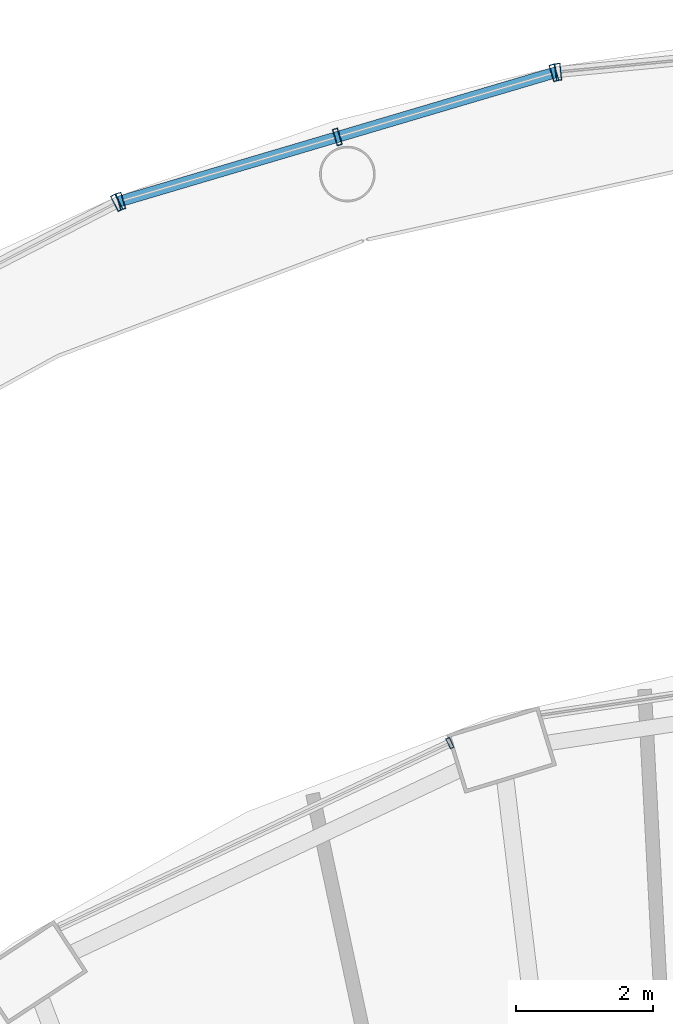
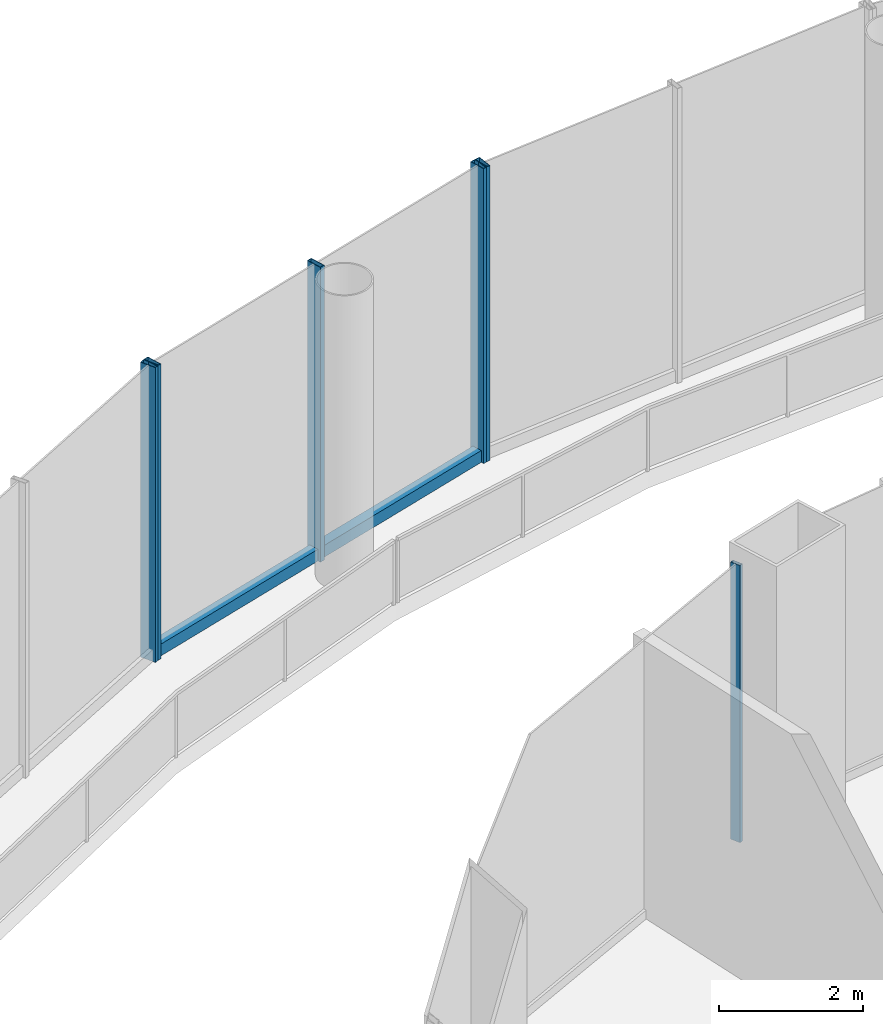
# One storey, part 32 of 47: 7 members, 4 elements without a shape of their own.
"""IFC4 building model written with IfcOpenShell, lengths in metres."""

import ifcopenshell
import ifcopenshell.guid

model = None  # the IFC model being written
_history = None  # IfcOwnerHistory: only IFC2X3 demands one
_inside = {}  # id of a spatial element -> (the spatial element, [elements in it])
_under = {}  # id of a project, library or spatial element -> (it, [spatial elements below it])
_declared = {}  # id of a project -> (the project, [libraries it declares])
_typed = {}  # id of a type object -> (the type object, [elements of that type])
_made_of = {}  # id of a material, layer set ... -> (it, [elements and type objects made of it])


def new_model(schema):
    """Start an empty IFC model of exactly this schema.

    Asked for "IFC4X3", IfcOpenShell would pick the latest addendum, in which some entities
    have other attributes; the version numbers below select the first issue.
    IFC2X3 requires an IfcOwnerHistory on every rooted entity: one is made here for all.
    """
    global model, _history
    if schema == "IFC4X3":
        model = ifcopenshell.file(schema_version=(4, 3, 0, 0))
    else:
        model = ifcopenshell.file(schema=schema)
    _inside.clear()
    _under.clear()
    _declared.clear()
    _typed.clear()
    _made_of.clear()
    _history = None
    if model.schema == "IFC2X3":
        org = make("IfcOrganization", Name="unknown")
        user = make(
            "IfcPersonAndOrganization",
            ThePerson=make("IfcPerson", FamilyName="unknown"),
            TheOrganization=org,
        )
        app = make(
            "IfcApplication",
            ApplicationDeveloper=org,
            Version="unknown",
            ApplicationFullName="unknown",
            ApplicationIdentifier="unknown",
        )
        _history = make(
            "IfcOwnerHistory",
            OwningUser=user,
            OwningApplication=app,
            ChangeAction="ADDED",
            CreationDate=0,
        )
    return model


def make(cls, **values):
    """One entity of the class cls with the attributes given. An attribute that is None is left unset."""
    return model.create_entity(
        cls, **{name: value for name, value in values.items() if value is not None}
    )


def rooted(cls, **values):
    """An entity with a GlobalId (a new one), such as an element, a storey or a relation."""
    return make(cls, GlobalId=ifcopenshell.guid.new(), OwnerHistory=_history, **values)


def si_unit(unit_type, name, prefix=None):
    """IfcSIUnit, for example si_unit("LENGTHUNIT", "METRE", prefix="MILLI")."""
    return make("IfcSIUnit", UnitType=unit_type, Prefix=prefix, Name=name)


def assignment(units):
    """IfcUnitAssignment: the units of a project."""
    return None if units is None else make("IfcUnitAssignment", Units=units)


def point(xyz):
    """IfcCartesianPoint."""
    return None if xyz is None else make("IfcCartesianPoint", Coordinates=xyz)


def direction(xyz):
    """IfcDirection."""
    return None if xyz is None else make("IfcDirection", DirectionRatios=xyz)


def frame(location, z_axis=None, x_axis=None):
    """IfcAxis2Placement3D, a coordinate frame: its origin and axes. An axis left out is left unset."""
    return make(
        "IfcAxis2Placement3D",
        Location=point(location),
        Axis=direction(z_axis),
        RefDirection=direction(x_axis),
    )


def frame_2d(location, x_axis=None):
    """IfcAxis2Placement2D, a coordinate frame in the plane: its origin and x axis."""
    return make(
        "IfcAxis2Placement2D", Location=point(location), RefDirection=direction(x_axis)
    )


def origin():
    """The frame at (0, 0, 0) with its axes left unset."""
    return frame((0.0, 0.0, 0.0))


def origin_2d():
    """The frame at (0, 0) in the plane with its x axis left unset."""
    return frame_2d((0.0, 0.0))


def place(relative_to, where):
    """IfcLocalPlacement: puts the frame where relative to a parent placement (None: the world)."""
    return make(
        "IfcLocalPlacement", PlacementRelTo=relative_to, RelativePlacement=where
    )


def context(
    kind, dimensions, precision=None, world=None, true_north=None, identifier=None
):
    """IfcGeometricRepresentationContext, for example the 3D "Model" context."""
    return make(
        "IfcGeometricRepresentationContext",
        ContextIdentifier=identifier,
        ContextType=kind,
        CoordinateSpaceDimension=dimensions,
        Precision=precision,
        WorldCoordinateSystem=world,
        TrueNorth=true_north,
    )


def subcontext(parent, identifier, kind, view, scale=None):
    """IfcGeometricRepresentationSubContext, for example "Body" below "Model"."""
    return make(
        "IfcGeometricRepresentationSubContext",
        ContextIdentifier=identifier,
        ContextType=kind,
        ParentContext=parent,
        TargetScale=scale,
        TargetView=view,
    )


def project(units=None, contexts=None):
    """IfcProject with its units and contexts."""
    return rooted(
        "IfcProject",
        Name="project",
        RepresentationContexts=contexts,
        UnitsInContext=assignment(units),
    )


def spatial(cls, under=None, at=None, **own):
    """A site, building, storey or space (cls), placed at a placement, below another one or the project."""
    s = rooted(cls, ObjectPlacement=at, **own)
    if under is not None:
        _under.setdefault(under.id(), (under, []))[1].append(s)
    return s


def profile(cls, at=None, kind="AREA", **sizes):
    """A parametric profile (cls). Its sizes go by their IFC names, for example OverallWidth=200.0."""
    return make(cls, ProfileType=kind, Position=at, **sizes)


def hollow_rectangle(**sizes):
    """IfcRectangleHollowProfileDef."""
    return profile("IfcRectangleHollowProfileDef", **sizes)


def extrude(swept, where, along, depth):
    """IfcExtrudedAreaSolid: the profile swept, set in the frame where, extruded along a direction by depth."""
    return make(
        "IfcExtrudedAreaSolid",
        SweptArea=swept,
        Position=where,
        ExtrudedDirection=direction(along),
        Depth=depth,
    )


def shape(context_of_items, identifier, shape_type, items):
    """IfcShapeRepresentation: the items that make up one representation, for example the "Body"."""
    return make(
        "IfcShapeRepresentation",
        ContextOfItems=context_of_items,
        RepresentationIdentifier=identifier,
        RepresentationType=shape_type,
        Items=items,
    )


def material(Name=None, Category=None):
    """IfcMaterial."""
    return make("IfcMaterial", Name=Name, Category=Category)


def layer(
    of_material, thickness, ventilated=None, Name=None, Category=None, Priority=None
):
    """IfcMaterialLayer: one layer of a wall or slab, of a material (None: an air gap)."""
    return make(
        "IfcMaterialLayer",
        Material=of_material,
        LayerThickness=thickness,
        IsVentilated=ventilated,
        Name=Name,
        Category=Category,
        Priority=Priority,
    )


def layer_set(layers, Name=None):
    """IfcMaterialLayerSet."""
    return make("IfcMaterialLayerSet", MaterialLayers=layers, LayerSetName=Name)


def material_profile(
    of_material, cross_section, Name=None, Category=None, Priority=None
):
    """IfcMaterialProfile: a cross section and its material."""
    return make(
        "IfcMaterialProfile",
        Name=Name,
        Material=of_material,
        Profile=cross_section,
        Priority=Priority,
        Category=Category,
    )


def profile_set(profiles, Name=None, composite=None):
    """IfcMaterialProfileSet."""
    return make(
        "IfcMaterialProfileSet",
        Name=Name,
        MaterialProfiles=profiles,
        CompositeProfile=composite,
    )


def made_of(thing, what):
    """Note that an element or type object is made of a material, layer set ...; save() writes the relation."""
    if what is not None:
        _made_of.setdefault(what.id(), (what, []))[1].append(thing)
    return thing


def type_object(cls, material=None, **own):
    """A type object (cls), such as IfcWallType, which elements share."""
    return made_of(rooted(cls, **own), material)


def element(
    cls,
    number,
    at=None,
    inside=None,
    cuts=None,
    type_object=None,
    material=None,
    context=None,
    identifier="Body",
    shape_type=None,
    held_by="IfcProductDefinitionShape",
    body=None,
    shapes=None,
    **own,
):
    """One element of the class cls, such as IfcWall. Its Tag is "e" and its number.

    at: its placement. inside: the storey or other place that contains it. cuts: it is an
    opening in that element (IfcRelVoidsElement). A single representation is given by context,
    identifier, shape_type and body (its items); several are given by shapes. held_by: the class
    of the entity that holds the representations. save() writes the other relations.
    """
    e = rooted(cls, Tag="e%d" % number, ObjectPlacement=at, **own)
    if body is not None:
        shapes = [shape(context, identifier, shape_type, body)]
    if shapes is not None:
        e.Representation = make(held_by, Representations=shapes)
    if inside is not None:
        _inside.setdefault(inside.id(), (inside, []))[1].append(e)
    if cuts is not None:
        rooted(
            "IfcRelVoidsElement", RelatingBuildingElement=cuts, RelatedOpeningElement=e
        )
    if type_object is not None:
        _typed.setdefault(type_object.id(), (type_object, []))[1].append(e)
    return made_of(e, material)


def aggregate(whole, parts):
    """IfcRelAggregates: a whole, such as a stair, and the parts it consists of."""
    return rooted("IfcRelAggregates", RelatingObject=whole, RelatedObjects=parts)


def save(model, path):
    """Write the relations noted so far, then the file.

    IfcRelAggregates (storeys below a building ...), IfcRelContainedInSpatialStructure (elements
    in a storey), IfcRelDefinesByType, IfcRelAssociatesMaterial and IfcRelDeclares: one each for
    every whole, place, type object, material and project.
    """
    for whole, parts in _under.values():
        aggregate(whole, parts)
    for where, things in _inside.values():
        rooted(
            "IfcRelContainedInSpatialStructure",
            RelatedElements=things,
            RelatingStructure=where,
        )
    for kind, things in _typed.values():
        rooted("IfcRelDefinesByType", RelatedObjects=things, RelatingType=kind)
    for what, things in _made_of.values():
        rooted("IfcRelAssociatesMaterial", RelatedObjects=things, RelatingMaterial=what)
    for by, libraries in _declared.values():
        rooted("IfcRelDeclares", RelatingContext=by, RelatedDefinitions=libraries)
    model.write(path)


model = new_model("IFC4")

# Units and contexts
model_context = context("Model", 3, precision=1e-05, world=origin(), true_north=direction((0.0, 1.0)))
body_context = subcontext(model_context, "Body", "Model", "MODEL_VIEW")
ifc_project = project(units=[si_unit("LENGTHUNIT", "METRE"), si_unit("AREAUNIT", "SQUARE_METRE"), si_unit("VOLUMEUNIT", "CUBIC_METRE"), si_unit("PLANEANGLEUNIT", "RADIAN"), si_unit("MASSUNIT", "GRAM", prefix="KILO")], contexts=[model_context])

# Site, building, storey
site_placement = place(None, origin())
site = spatial("IfcSite", under=ifc_project, at=site_placement, CompositionType="ELEMENT")
building_placement = place(site_placement, origin())
building = spatial("IfcBuilding", under=site, at=building_placement, Name="Nagisa Residences", CompositionType="ELEMENT")
storey_placement = place(building_placement, frame((0.0, 0.0, 17.0)))
storey = spatial("IfcBuildingStorey", under=building, at=storey_placement, Name="L03", CompositionType="ELEMENT", Elevation=17.0)

# Curtain wall, member
ifc_material_1 = material(Name="Stainless steel curtain wall system", Category="steel")
ifc_layer_1 = layer(ifc_material_1, 0.159912109375)
ifc_layer_set_1 = layer_set([ifc_layer_1], Name="CW3 CURTAIN WALL")
curtain_wall_type_1 = type_object("IfcCurtainWallType", Name="CW3 CURTAIN WALL", PredefinedType="NOTDEFINED", material=ifc_layer_set_1)
curtain_wall_1_placement = place(storey_placement, origin())
curtain_wall_1 = element("IfcCurtainWall", 1, at=curtain_wall_1_placement, inside=storey, type_object=curtain_wall_type_1, Name="cw:CW3:L03:09", PredefinedType="NOTDEFINED")
ifc_material_2 = material(Name="Stainless steel", Category="steel")
ifc_material_profile_1 = material_profile(ifc_material_2, hollow_rectangle(XDim=0.25, YDim=0.080078125, WallThickness=0.008056640625, at=origin_2d()), Name="CW3 MULLION 250x80")
ifc_profile_set_1 = profile_set([ifc_material_profile_1], Name="Stainless steel")
member_type_1 = type_object("IfcMemberType", Name="CW3 MULLION 250x80", PredefinedType="MULLION", material=ifc_profile_set_1)
member_1_placement = place(storey_placement, frame((-2.951171875, 41.2861328125, 0.0), z_axis=(0.0, 0.0, 1.0), x_axis=(0.096249055035, -0.995357282289, 0.0)))
member_1 = element("IfcMember", 2, at=member_1_placement, type_object=member_type_1, Name="CW3 mullion", PredefinedType="MULLION", context=body_context, shape_type="SweptSolid", body=[
    extrude(hollow_rectangle(XDim=0.25, YDim=0.080078125, WallThickness=0.008056640625, at=origin_2d()), origin(), (0.0, 0.0, 1.0), 5.0),
])
aggregate(curtain_wall_1, [member_1])

# Curtain wall, members
curtain_wall_2_placement = place(storey_placement, origin())
curtain_wall_2 = element("IfcCurtainWall", 3, at=curtain_wall_2_placement, inside=storey, type_object=curtain_wall_type_1, Name="cw:CW3:L03:10", PredefinedType="NOTDEFINED")
member_2_placement = place(storey_placement, frame((-3.01416015625, 41.27392578125, 0.0), z_axis=(0.0, 0.0, 1.0), x_axis=(0.283963226669, -0.958835171393, 0.0)))
member_2 = element("IfcMember", 4, at=member_2_placement, type_object=member_type_1, Name="CW3 mullion", PredefinedType="MULLION", context=body_context, shape_type="SweptSolid", body=[
    extrude(hollow_rectangle(XDim=0.25, YDim=0.080078125, WallThickness=0.008056640625, at=origin_2d()), origin(), (0.0, 0.0, 1.0), 5.0),
])
member_3_placement = place(storey_placement, frame((-6.175048828125, 40.337890625, 0.0), z_axis=(0.0, 0.0, 1.0), x_axis=(0.283963226669, -0.958835171393, 0.0)))
member_3 = element("IfcMember", 5, at=member_3_placement, type_object=member_type_1, Name="CW3 mullion", PredefinedType="MULLION", context=body_context, shape_type="SweptSolid", body=[
    extrude(hollow_rectangle(XDim=0.25, YDim=0.080078125, WallThickness=0.008056640625, at=origin_2d()), origin(), (0.0, 0.0, 1.0), 5.0),
])
member_4_placement = place(storey_placement, frame((-9.335693359375, 39.40185546875, 0.0), z_axis=(0.0, 0.0, 1.0), x_axis=(0.283963226669, -0.958835171393, 0.0)))
member_4 = element("IfcMember", 6, at=member_4_placement, type_object=member_type_1, Name="CW3 mullion", PredefinedType="MULLION", context=body_context, shape_type="SweptSolid", body=[
    extrude(hollow_rectangle(XDim=0.25, YDim=0.080078125, WallThickness=0.008056640625, at=origin_2d()), origin(), (0.0, 0.0, 1.0), 5.0),
])

# Curtain wall, member
curtain_wall_3_placement = place(storey_placement, origin())
curtain_wall_3 = element("IfcCurtainWall", 7, at=curtain_wall_3_placement, inside=storey, type_object=curtain_wall_type_1, Name="cw:CW3:L03:11", PredefinedType="NOTDEFINED")
member_5_placement = place(storey_placement, frame((-9.395751953125, 39.377685546875, 0.0), z_axis=(0.0, 0.0, 1.0), x_axis=(0.45812598783, -0.888887270285, 0.0)))
member_5 = element("IfcMember", 8, at=member_5_placement, type_object=member_type_1, Name="CW3 mullion", PredefinedType="MULLION", context=body_context, shape_type="SweptSolid", body=[
    extrude(hollow_rectangle(XDim=0.25, YDim=0.080078125, WallThickness=0.008056640625, at=origin_2d()), origin(), (0.0, 0.0, 1.0), 5.0),
])
aggregate(curtain_wall_3, [member_5])

# Member
ifc_material_3 = material(Name="Stainless steel", Category="steel")
ifc_material_profile_2 = material_profile(ifc_material_3, hollow_rectangle(XDim=0.159912109375, YDim=0.199951171875, WallThickness=0.008056640625, at=origin_2d()), Name="CW3 TRANSOM 160x200")
ifc_profile_set_2 = profile_set([ifc_material_profile_2], Name="Stainless steel")
member_type_2 = type_object("IfcMemberType", Name="CW3 TRANSOM 160x200", PredefinedType="USERDEFINED", material=ifc_profile_set_2)
member_6_placement = place(storey_placement, frame((-2.975830078125, 41.28515625, 0.10009765625), z_axis=(-0.958838335071, -0.283952543919, 0.0), x_axis=(0.283952543919, -0.958838335071, 0.0)))
member_6 = element("IfcMember", 9, at=member_6_placement, type_object=member_type_2, Name="CW3 transom", ObjectType="TRANSOM", PredefinedType="USERDEFINED", context=body_context, shape_type="SweptSolid", body=[
    extrude(hollow_rectangle(XDim=0.159912109375, YDim=0.199951171875, WallThickness=0.008056640625, at=origin_2d()), origin(), (0.0, 0.0, 1.0), 6.6728515625),
])

aggregate(curtain_wall_2, [member_2, member_3, member_4, member_6])

# Curtain wall, member
ifc_material_4 = material(Name="Stainless steel curtain wall system", Category="steel")
ifc_layer_2 = layer(ifc_material_4, 0.159912109375)
ifc_layer_set_2 = layer_set([ifc_layer_2], Name="CW6 CURTAIN WALL")
curtain_wall_type_2 = type_object("IfcCurtainWallType", Name="CW6 CURTAIN WALL", PredefinedType="NOTDEFINED", material=ifc_layer_set_2)
curtain_wall_4_placement = place(storey_placement, origin())
curtain_wall_4 = element("IfcCurtainWall", 10, at=curtain_wall_4_placement, inside=storey, type_object=curtain_wall_type_2, Name="cw:CW6:L03:14", PredefinedType="NOTDEFINED")
ifc_material_5 = material(Name="Stainless steel", Category="steel")
ifc_material_profile_3 = material_profile(ifc_material_5, hollow_rectangle(XDim=0.159912109375, YDim=0.06005859375, WallThickness=0.006103515625, at=origin_2d()), Name="CW6 MULLION 160x60")
ifc_profile_set_3 = profile_set([ifc_material_profile_3], Name="Stainless steel")
member_type_3 = type_object("IfcMemberType", Name="CW6 MULLION 160x60", PredefinedType="MULLION", material=ifc_profile_set_3)
member_7_placement = place(storey_placement, frame((-4.531982421875, 31.491943359375, 0.0), z_axis=(0.0, 0.0, 1.0), x_axis=(0.426358467603, -0.904554286432, 0.0)))
member_7 = element("IfcMember", 11, at=member_7_placement, type_object=member_type_3, Name="CW6 mullion", PredefinedType="MULLION", context=body_context, shape_type="SweptSolid", body=[
    extrude(hollow_rectangle(XDim=0.159912109375, YDim=0.06005859375, WallThickness=0.006103515625, at=origin_2d()), origin(), (0.0, 0.0, 1.0), 4.699951171875),
])
aggregate(curtain_wall_4, [member_7])

save(model, "model.ifc")
